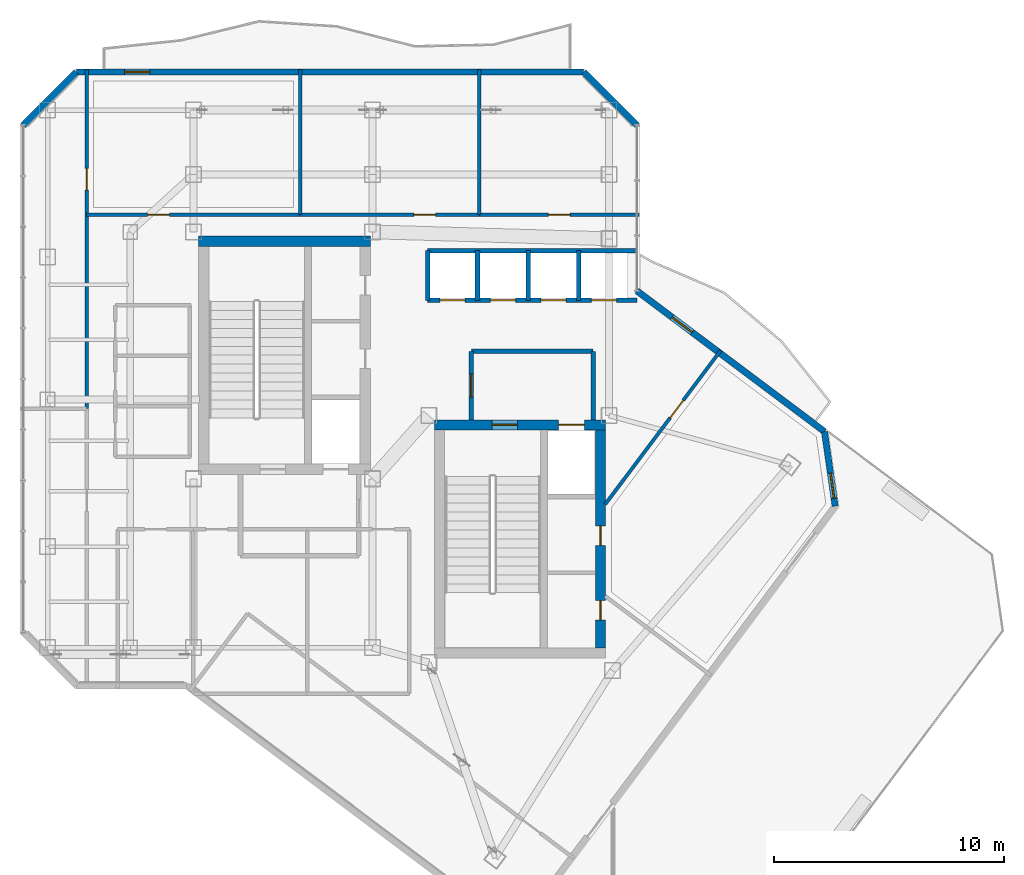
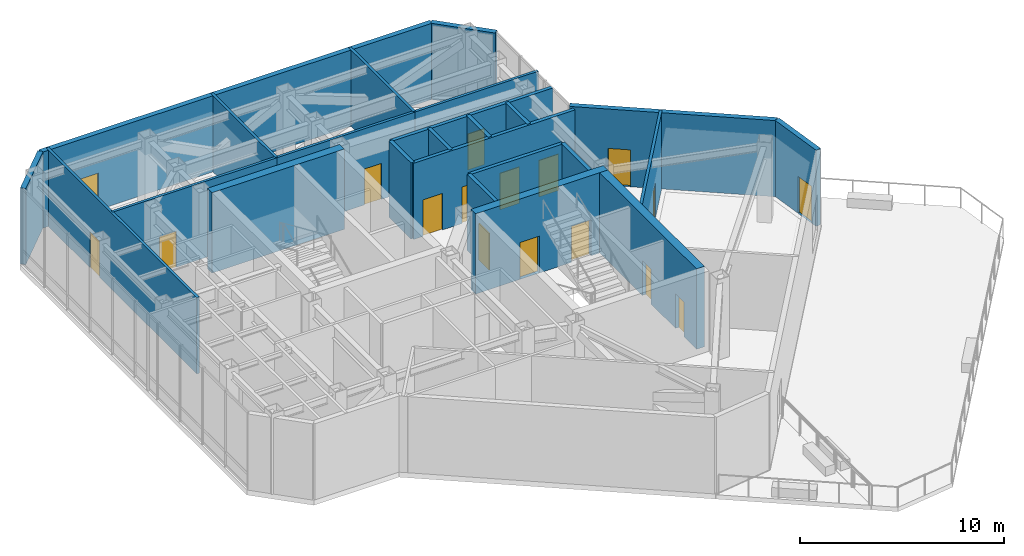
# One storey, part 17 of 21: 24 walls, 17 doors, 17 openings.
"""IFC4 building model written with IfcOpenShell, lengths in metres."""

from ifc_helpers import new_model, si_unit, direction, frame, frame_2d, origin, place, context, subcontext, project, spatial, rectangle, extrude, material, layer, layer_set, type_object, element, fill, save


model = new_model("IFC4")

# Units and contexts
model_context = context("Model", 3, precision=1e-05, world=origin(), true_north=direction((0.0, 1.0)))
body_context = subcontext(model_context, "Body", "Model", "MODEL_VIEW")
ifc_project = project(units=[si_unit("LENGTHUNIT", "METRE"), si_unit("AREAUNIT", "SQUARE_METRE"), si_unit("VOLUMEUNIT", "CUBIC_METRE"), si_unit("PLANEANGLEUNIT", "RADIAN"), si_unit("MASSUNIT", "GRAM", prefix="KILO")], contexts=[model_context])

# Site, building, storey
site_placement = place(None, origin())
site = spatial("IfcSite", under=ifc_project, at=site_placement, CompositionType="ELEMENT")
building_placement = place(site_placement, origin())
building = spatial("IfcBuilding", under=site, at=building_placement, Name="Hatsunagi Terrace Concourse", CompositionType="ELEMENT")
storey_placement = place(building_placement, frame((0.0, 0.0, 234.75)))
storey = spatial("IfcBuildingStorey", under=building, at=storey_placement, Name="L62", CompositionType="ELEMENT", Elevation=234.75)

# Wall
ifc_material_1 = material(Name="Concrete Fc42", Category="concrete")
ifc_layer_1 = layer(ifc_material_1, 0.449951171875)
ifc_layer_set_1 = layer_set([ifc_layer_1], Name="CoreShearWall_Fc42_450")
wall_type_1 = type_object("IfcWallType", Name="CoreShearWall_Fc42_450", PredefinedType="SHEAR", material=ifc_layer_set_1)
wall_1_placement = place(storey_placement, frame((25.77001953125, 42.89501953125, 0.0), z_axis=(0.0, 0.0, 1.0), x_axis=(1.0, 0.0, 0.0)))
element("IfcWall", 1, at=wall_1_placement, inside=storey, type_object=wall_type_1, Name="Core A Shear Wall N L62", PredefinedType="SHEAR", context=body_context, shape_type="SweptSolid", body=[
    extrude(rectangle(XDim=7.47998046875, YDim=0.449951171875, at=frame_2d((3.739990234375, 0.0))), origin(), (0.0, 0.0, 1.0), 4.800048828125),
])

# Wall, openings, doors
wall_2_placement = place(storey_placement, frame((36.0400390625, 34.89501953125, 0.0), z_axis=(0.0, 0.0, 1.0), x_axis=(1.0, 0.0, 0.0)))
wall_2 = element("IfcWall", 2, at=wall_2_placement, inside=storey, type_object=wall_type_1, Name="Core B Shear Wall N L62", PredefinedType="SHEAR", context=body_context, shape_type="SweptSolid", body=[
    extrude(rectangle(XDim=7.4599609375, YDim=0.449951171875, at=frame_2d((3.72998046875, 0.0))), origin(), (0.0, 0.0, 1.0), 4.800048828125),
])
opening_1_placement = place(wall_2_placement, frame((2.510009765625, 0.0, 0.0)))
opening_1 = element("IfcOpeningElement", 3, at=opening_1_placement, cuts=wall_2, Name="Opening DR-110S", PredefinedType="OPENING", context=body_context, shape_type="SweptSolid", body=[
    extrude(rectangle(XDim=1.10009765625, YDim=2.199951171875, at=frame_2d((0.550048828125, 1.10009765625))), frame((0.0, 0.23486328125, 0.0), z_axis=(0.0, -1.0, 0.0), x_axis=(1.0, 0.0, 0.0)), (0.0, 0.0, 1.0), 0.469970703125),
])
opening_2_placement = place(wall_2_placement, frame((5.409912109375, 0.0, 0.0)))
opening_2 = element("IfcOpeningElement", 4, at=opening_2_placement, cuts=wall_2, Name="Opening LD-02", PredefinedType="OPENING", context=body_context, shape_type="SweptSolid", body=[
    extrude(rectangle(XDim=1.1201171875, YDim=2.14990234375, at=frame_2d((0.56005859375, 1.074951171875))), frame((0.0, 0.23486328125, 0.0), z_axis=(0.0, -1.0, 0.0), x_axis=(1.0, 0.0, 0.0)), (0.0, 0.0, 1.0), 0.469970703125),
])
ifc_material_2 = material(Name="Stainless steel", Category="steel")
door_type_1 = type_object("IfcDoorType", Name="LiftLandingDoor_LD02", OperationType="SLIDING_TO_RIGHT", PredefinedType="USERDEFINED", material=ifc_material_2)
door_1_placement = place(opening_2_placement, origin())
door_1 = element("IfcDoor", 5, at=door_1_placement, inside=storey, type_object=door_type_1, Name="Lift landing door FF-02 L62", ObjectType="SLIDING_LANDING_DOOR", OperationType="SLIDING_TO_RIGHT", OverallHeight=2.14990234375, OverallWidth=1.1201171875, PredefinedType="USERDEFINED", context=body_context, shape_type="SweptSolid", body=[
    extrude(rectangle(XDim=1.1201171875, YDim=2.14990234375, at=frame_2d((0.56005859375, 1.074951171875))), frame((0.0, 0.02490234375, 0.0), z_axis=(0.0, -1.0, 0.0), x_axis=(1.0, 0.0, 0.0)), (0.0, 0.0, 1.0), 0.050048828125),
])
fill(opening_2, door_1)
ifc_material_3 = material(Name="Painted steel", Category="steel")
door_type_2 = type_object("IfcDoorType", Name="StairFireDoor_EI60_1100", OperationType="NOTDEFINED", PredefinedType="DOOR", material=ifc_material_3)
door_2_placement = place(opening_1_placement, origin())
door_2 = element("IfcDoor", 6, at=door_2_placement, inside=storey, type_object=door_type_2, Name="Stair ST-B Exit Door L62", OperationType="SINGLE_SWING_RIGHT", OverallHeight=2.199951171875, OverallWidth=1.10009765625, PredefinedType="DOOR", context=body_context, shape_type="SweptSolid", body=[
    extrude(rectangle(XDim=1.10009765625, YDim=2.199951171875, at=frame_2d((0.550048828125, 1.10009765625))), frame((0.0, 0.02490234375, 0.0), z_axis=(0.0, -1.0, 0.0), x_axis=(1.0, 0.0, 0.0)), (0.0, 0.0, 1.0), 0.050048828125),
])
fill(opening_1, door_2)

wall_3_placement = place(storey_placement, frame((43.27490234375, 25.18994140625, 0.0), z_axis=(0.0, 0.0, 1.0), x_axis=(0.0, 1.0, 0.0)))
wall_3 = element("IfcWall", 7, at=wall_3_placement, inside=storey, type_object=wall_type_1, Name="Core B Shear Wall E L62", PredefinedType="SHEAR", context=body_context, shape_type="SweptSolid", body=[
    extrude(rectangle(XDim=9.47998046875, YDim=0.449951171875, at=frame_2d((4.739990234375, 0.0))), origin(), (0.0, 0.0, 1.0), 4.800048828125),
])
opening_3_placement = place(wall_3_placement, frame((1.2099609375, 0.0, 0.0)))
opening_3 = element("IfcOpeningElement", 8, at=opening_3_placement, cuts=wall_3, Name="Opening DR-085", PredefinedType="OPENING", context=body_context, shape_type="SweptSolid", body=[
    extrude(rectangle(XDim=0.85009765625, YDim=2.080078125, at=frame_2d((0.425048828125, 1.0400390625))), frame((0.0, 0.23486328125, 0.0), z_axis=(0.0, -1.0, 0.0), x_axis=(1.0, 0.0, 0.0)), (0.0, 0.0, 1.0), 0.469970703125),
])
opening_4_placement = place(wall_3_placement, frame((4.4599609375, 0.0, 0.0)))
opening_4 = element("IfcOpeningElement", 9, at=opening_4_placement, cuts=wall_3, Name="Opening DR-085", PredefinedType="OPENING", context=body_context, shape_type="SweptSolid", body=[
    extrude(rectangle(XDim=0.85009765625, YDim=2.080078125, at=frame_2d((0.425048828125, 1.0400390625))), frame((0.0, 0.23486328125, 0.0), z_axis=(0.0, -1.0, 0.0), x_axis=(1.0, 0.0, 0.0)), (0.0, 0.0, 1.0), 0.469970703125),
])
ifc_material_4 = material(Name="Painted steel", Category="steel")
door_type_3 = type_object("IfcDoorType", Name="RiserAccessDoor_EI60_850", OperationType="NOTDEFINED", PredefinedType="DOOR", material=ifc_material_4)
door_3_placement = place(opening_3_placement, origin())
door_3 = element("IfcDoor", 10, at=door_3_placement, inside=storey, type_object=door_type_3, Name="Core B Riser Door L62-1", OperationType="SINGLE_SWING_RIGHT", OverallHeight=2.080078125, OverallWidth=0.85009765625, PredefinedType="DOOR", context=body_context, shape_type="SweptSolid", body=[
    extrude(rectangle(XDim=0.85009765625, YDim=2.080078125, at=frame_2d((0.425048828125, 1.0400390625))), frame((0.0, 0.02490234375, 0.0), z_axis=(0.0, -1.0, 0.0), x_axis=(1.0, 0.0, 0.0)), (0.0, 0.0, 1.0), 0.050048828125),
])
fill(opening_3, door_3)
door_4_placement = place(opening_4_placement, origin())
door_4 = element("IfcDoor", 11, at=door_4_placement, inside=storey, type_object=door_type_3, Name="Core B Riser Door L62-2", OperationType="SINGLE_SWING_RIGHT", OverallHeight=2.080078125, OverallWidth=0.85009765625, PredefinedType="DOOR", context=body_context, shape_type="SweptSolid", body=[
    extrude(rectangle(XDim=0.85009765625, YDim=2.080078125, at=frame_2d((0.425048828125, 1.0400390625))), frame((0.0, 0.02490234375, 0.0), z_axis=(0.0, -1.0, 0.0), x_axis=(1.0, 0.0, 0.0)), (0.0, 0.0, 1.0), 0.050048828125),
])
fill(opening_4, door_4)

# Wall, opening, door
ifc_material_5 = material(Name="Acoustic mineral board", Category="gypsum")
ifc_layer_2 = layer(ifc_material_5, 0.14990234375)
ifc_layer_set_2 = layer_set([ifc_layer_2], Name="PartitionWall_EI60_150")
wall_type_2 = type_object("IfcWallType", Name="PartitionWall_EI60_150", PredefinedType="PARTITIONING", material=ifc_layer_set_2)
wall_4_placement = place(storey_placement, frame((20.89990234375, 35.60009765625, 0.0), z_axis=(0.0, 0.0, 1.0), x_axis=(0.0, 1.0, 0.0)))
wall_4 = element("IfcWall", 12, at=wall_4_placement, inside=storey, type_object=wall_type_2, Name="Interior Partition IW-L62-034", PredefinedType="PARTITIONING", context=body_context, shape_type="SweptSolid", body=[
    extrude(rectangle(XDim=14.760009765625, YDim=0.14990234375, at=frame_2d((7.3798828125, 0.0))), origin(), (0.0, 0.0, 1.0), 4.550048828125),
])
opening_5_placement = place(wall_4_placement, frame((9.514892578125, 0.0, 0.0)))
opening_5 = element("IfcOpeningElement", 13, at=opening_5_placement, cuts=wall_4, Name="Opening DR-095", PredefinedType="OPENING", context=body_context, shape_type="SweptSolid", body=[
    extrude(rectangle(XDim=0.949951171875, YDim=2.14990234375, at=frame_2d((0.47509765625, 1.074951171875))), frame((0.0, 0.0849609375, 0.0), z_axis=(0.0, -1.0, 0.0), x_axis=(1.0, 0.0, 0.0)), (0.0, 0.0, 1.0), 0.169921875),
])
ifc_material_6 = material(Name="Hardwood timber", Category="wood")
door_type_4 = type_object("IfcDoorType", Name="InteriorSuiteDoor_EI30_950", OperationType="NOTDEFINED", PredefinedType="DOOR", material=ifc_material_6)
door_5_placement = place(opening_5_placement, origin())
door_5 = element("IfcDoor", 14, at=door_5_placement, inside=storey, type_object=door_type_4, Name="Open Plan Office L62-OW2 Door", OperationType="SINGLE_SWING_LEFT", OverallHeight=2.14990234375, OverallWidth=0.949951171875, PredefinedType="DOOR", context=body_context, shape_type="SweptSolid", body=[
    extrude(rectangle(XDim=0.949951171875, YDim=2.14990234375, at=frame_2d((0.47509765625, 1.074951171875))), frame((0.0, 0.02490234375, 0.0), z_axis=(0.0, -1.0, 0.0), x_axis=(1.0, 0.0, 0.0)), (0.0, 0.0, 1.0), 0.050048828125),
])
fill(opening_5, door_5)

wall_5_placement = place(storey_placement, frame((20.89990234375, 44.050048828125, 0.0), z_axis=(0.0, 0.0, 1.0), x_axis=(1.0, 0.0, 0.0)))
wall_5 = element("IfcWall", 15, at=wall_5_placement, inside=storey, type_object=wall_type_2, Name="Interior Partition IW-L62-035", PredefinedType="PARTITIONING", context=body_context, shape_type="SweptSolid", body=[
    extrude(rectangle(XDim=9.300048828125, YDim=0.14990234375, at=frame_2d((4.64990234375, 0.0))), origin(), (0.0, 0.0, 1.0), 4.550048828125),
])
opening_6_placement = place(wall_5_placement, frame((2.656982421875, 0.0, 0.0)))
opening_6 = element("IfcOpeningElement", 16, at=opening_6_placement, cuts=wall_5, Name="Opening DR-095", PredefinedType="OPENING", context=body_context, shape_type="SweptSolid", body=[
    extrude(rectangle(XDim=0.949951171875, YDim=2.14990234375, at=frame_2d((0.47509765625, 1.074951171875))), frame((0.0, 0.0849609375, 0.0), z_axis=(0.0, -1.0, 0.0), x_axis=(1.0, 0.0, 0.0)), (0.0, 0.0, 1.0), 0.169921875),
])
door_6_placement = place(opening_6_placement, origin())
door_6 = element("IfcDoor", 17, at=door_6_placement, inside=storey, type_object=door_type_4, Name="Boardroom L62-ON1 Door", OperationType="SINGLE_SWING_LEFT", OverallHeight=2.14990234375, OverallWidth=0.949951171875, PredefinedType="DOOR", context=body_context, shape_type="SweptSolid", body=[
    extrude(rectangle(XDim=0.949951171875, YDim=2.14990234375, at=frame_2d((0.47509765625, 1.074951171875))), frame((0.0, 0.02490234375, 0.0), z_axis=(0.0, -1.0, 0.0), x_axis=(1.0, 0.0, 0.0)), (0.0, 0.0, 1.0), 0.050048828125),
])
fill(opening_6, door_6)

# Wall
wall_6_placement = place(storey_placement, frame((30.199951171875, 44.050048828125, 0.0), z_axis=(0.0, 0.0, 1.0), x_axis=(0.0, 1.0, 0.0)))
element("IfcWall", 18, at=wall_6_placement, inside=storey, type_object=wall_type_2, Name="Interior Partition IW-L62-036", PredefinedType="PARTITIONING", context=body_context, shape_type="SweptSolid", body=[
    extrude(rectangle(XDim=6.31005859375, YDim=0.14990234375, at=frame_2d((3.155029296875, 0.0))), origin(), (0.0, 0.0, 1.0), 4.550048828125),
])

# Wall, opening, door
wall_7_placement = place(storey_placement, frame((30.199951171875, 44.050048828125, 0.0), z_axis=(0.0, 0.0, 1.0), x_axis=(1.0, 0.0, 0.0)))
wall_7 = element("IfcWall", 19, at=wall_7_placement, inside=storey, type_object=wall_type_2, Name="Interior Partition IW-L62-037", PredefinedType="PARTITIONING", context=body_context, shape_type="SweptSolid", body=[
    extrude(rectangle(XDim=7.800048828125, YDim=0.14990234375, at=frame_2d((3.89990234375, 0.0))), origin(), (0.0, 0.0, 1.0), 4.550048828125),
])
opening_7_placement = place(wall_7_placement, frame((4.947998046875, 0.0, 0.0)))
opening_7 = element("IfcOpeningElement", 20, at=opening_7_placement, cuts=wall_7, Name="Opening DR-095", PredefinedType="OPENING", context=body_context, shape_type="SweptSolid", body=[
    extrude(rectangle(XDim=0.949951171875, YDim=2.14990234375, at=frame_2d((0.47509765625, 1.074951171875))), frame((0.0, 0.0849609375, 0.0), z_axis=(0.0, -1.0, 0.0), x_axis=(1.0, 0.0, 0.0)), (0.0, 0.0, 1.0), 0.169921875),
])
door_7_placement = place(opening_7_placement, origin())
door_7 = element("IfcDoor", 21, at=door_7_placement, inside=storey, type_object=door_type_4, Name="Collaboration Lounge L62-ON2 Door", OperationType="SINGLE_SWING_LEFT", OverallHeight=2.14990234375, OverallWidth=0.949951171875, PredefinedType="DOOR", context=body_context, shape_type="SweptSolid", body=[
    extrude(rectangle(XDim=0.949951171875, YDim=2.14990234375, at=frame_2d((0.47509765625, 1.074951171875))), frame((0.0, 0.02490234375, 0.0), z_axis=(0.0, -1.0, 0.0), x_axis=(1.0, 0.0, 0.0)), (0.0, 0.0, 1.0), 0.050048828125),
])
fill(opening_7, door_7)

# Wall
wall_8_placement = place(storey_placement, frame((38.0, 44.050048828125, 0.0), z_axis=(0.0, 0.0, 1.0), x_axis=(0.0, 1.0, 0.0)))
element("IfcWall", 22, at=wall_8_placement, inside=storey, type_object=wall_type_2, Name="Interior Partition IW-L62-038", PredefinedType="PARTITIONING", context=body_context, shape_type="SweptSolid", body=[
    extrude(rectangle(XDim=6.31005859375, YDim=0.14990234375, at=frame_2d((3.155029296875, 0.0))), origin(), (0.0, 0.0, 1.0), 4.550048828125),
])

# Wall, opening, door
wall_9_placement = place(storey_placement, frame((38.0, 44.050048828125, 0.0), z_axis=(0.0, 0.0, 1.0), x_axis=(1.0, 0.0, 0.0)))
wall_9 = element("IfcWall", 23, at=wall_9_placement, inside=storey, type_object=wall_type_2, Name="Interior Partition IW-L62-039", PredefinedType="PARTITIONING", context=body_context, shape_type="SweptSolid", body=[
    extrude(rectangle(XDim=6.9599609375, YDim=0.14990234375, at=frame_2d((3.47998046875, 0.0))), origin(), (0.0, 0.0, 1.0), 4.550048828125),
])
opening_8_placement = place(wall_9_placement, frame((3.0048828125, 0.0, 0.0)))
opening_8 = element("IfcOpeningElement", 24, at=opening_8_placement, cuts=wall_9, Name="Opening DR-095", PredefinedType="OPENING", context=body_context, shape_type="SweptSolid", body=[
    extrude(rectangle(XDim=0.949951171875, YDim=2.14990234375, at=frame_2d((0.47509765625, 1.074951171875))), frame((0.0, 0.0849609375, 0.0), z_axis=(0.0, -1.0, 0.0), x_axis=(1.0, 0.0, 0.0)), (0.0, 0.0, 1.0), 0.169921875),
])
door_8_placement = place(opening_8_placement, origin())
door_8 = element("IfcDoor", 25, at=door_8_placement, inside=storey, type_object=door_type_4, Name="Meeting Room L62-ON3 Door", OperationType="SINGLE_SWING_LEFT", OverallHeight=2.14990234375, OverallWidth=0.949951171875, PredefinedType="DOOR", context=body_context, shape_type="SweptSolid", body=[
    extrude(rectangle(XDim=0.949951171875, YDim=2.14990234375, at=frame_2d((0.47509765625, 1.074951171875))), frame((0.0, 0.02490234375, 0.0), z_axis=(0.0, -1.0, 0.0), x_axis=(1.0, 0.0, 0.0)), (0.0, 0.0, 1.0), 0.050048828125),
])
fill(opening_8, door_8)

wall_10_placement = place(storey_placement, frame((43.47998046875, 31.43994140625, 0.0), z_axis=(0.0, 0.0, 1.0), x_axis=(0.600009344989, 0.799992991173, 0.0)))
wall_10 = element("IfcWall", 26, at=wall_10_placement, inside=storey, type_object=wall_type_2, Name="Interior Partition IW-L62-041", PredefinedType="PARTITIONING", context=body_context, shape_type="SweptSolid", body=[
    extrude(rectangle(XDim=8.360107421875, YDim=0.14990234375, at=frame_2d((4.18017578125, 0.0))), origin(), (0.0, 0.0, 1.0), 4.550048828125),
])
opening_9_placement = place(wall_10_placement, frame((4.702880859375, 0.0, 0.0)))
opening_9 = element("IfcOpeningElement", 27, at=opening_9_placement, cuts=wall_10, Name="Opening DR-095", PredefinedType="OPENING", context=body_context, shape_type="SweptSolid", body=[
    extrude(rectangle(XDim=0.949951171875, YDim=2.14990234375, at=frame_2d((0.47509765625, 1.074951171875))), frame((0.0, 0.0849609375, 0.0), z_axis=(0.0, -1.0, 0.0), x_axis=(1.0, 0.0, 0.0)), (0.0, 0.0, 1.0), 0.169921875),
])
door_9_placement = place(opening_9_placement, origin())
door_9 = element("IfcDoor", 28, at=door_9_placement, inside=storey, type_object=door_type_4, Name="Botanical Lounge L62-OSE1 Door", OperationType="SINGLE_SWING_RIGHT", OverallHeight=2.14990234375, OverallWidth=0.949951171875, PredefinedType="DOOR", context=body_context, shape_type="SweptSolid", body=[
    extrude(rectangle(XDim=0.949951171875, YDim=2.14990234375, at=frame_2d((0.47509765625, 1.074951171875))), frame((0.0, 0.02490234375, 0.0), z_axis=(0.0, -1.0, 0.0), x_axis=(1.0, 0.0, 0.0)), (0.0, 0.0, 1.0), 0.050048828125),
])
fill(opening_9, door_9)

# Walls
ifc_material_7 = material(Name="Acoustic mineral board", Category="gypsum")
ifc_layer_3 = layer(ifc_material_7, 0.199951171875)
ifc_layer_set_3 = layer_set([ifc_layer_3], Name="ShaftWall_EI120_200")
wall_type_3 = type_object("IfcWallType", Name="ShaftWall_EI120_200", PredefinedType="STANDARD", material=ifc_layer_set_3)
wall_11_placement = place(storey_placement, frame((37.64990234375, 38.10009765625, 0.0), z_axis=(0.0, 0.0, 1.0), x_axis=(1.0, 0.0, 0.0)))
element("IfcWall", 29, at=wall_11_placement, inside=storey, type_object=wall_type_3, Name="Interior Partition IW-L62-008", PredefinedType="STANDARD", context=body_context, shape_type="SweptSolid", body=[
    extrude(rectangle(XDim=5.300048828125, YDim=0.199951171875, at=frame_2d((2.64990234375, 0.0))), origin(), (0.0, 0.0, 1.0), 4.550048828125),
])
wall_12_placement = place(storey_placement, frame((42.949951171875, 35.1201171875, 0.0), z_axis=(0.0, 0.0, 1.0), x_axis=(0.0, 1.0, 0.0)))
element("IfcWall", 30, at=wall_12_placement, inside=storey, type_object=wall_type_3, Name="Interior Partition IW-L62-009", PredefinedType="STANDARD", context=body_context, shape_type="SweptSolid", body=[
    extrude(rectangle(XDim=2.97998046875, YDim=0.199951171875, at=frame_2d((1.489990234375, 0.0))), origin(), (0.0, 0.0, 1.0), 4.550048828125),
])

# Wall, opening, door
wall_13_placement = place(storey_placement, frame((37.64990234375, 35.1201171875, 0.0), z_axis=(0.0, 0.0, 1.0), x_axis=(0.0, 1.0, 0.0)))
wall_13 = element("IfcWall", 31, at=wall_13_placement, inside=storey, type_object=wall_type_3, Name="Interior Partition IW-L62-010", PredefinedType="STANDARD", context=body_context, shape_type="SweptSolid", body=[
    extrude(rectangle(XDim=2.97998046875, YDim=0.199951171875, at=frame_2d((1.489990234375, 0.0))), origin(), (0.0, 0.0, 1.0), 4.550048828125),
])
opening_10_placement = place(wall_13_placement, frame((0.989990234375, 0.0, 0.0)))
opening_10 = element("IfcOpeningElement", 32, at=opening_10_placement, cuts=wall_13, Name="Opening DR-100F", PredefinedType="OPENING", context=body_context, shape_type="SweptSolid", body=[
    extrude(rectangle(XDim=1.0, YDim=2.199951171875, at=frame_2d((0.5, 1.10009765625))), frame((0.0, 0.10986328125, 0.0), z_axis=(0.0, -1.0, 0.0), x_axis=(1.0, 0.0, 0.0)), (0.0, 0.0, 1.0), 0.219970703125),
])
ifc_material_8 = material(Name="Painted steel", Category="steel")
door_type_5 = type_object("IfcDoorType", Name="FireDoor_EI60_1000", OperationType="NOTDEFINED", PredefinedType="DOOR", material=ifc_material_8)
door_10_placement = place(opening_10_placement, origin())
door_10 = element("IfcDoor", 33, at=door_10_placement, inside=storey, type_object=door_type_5, Name="Firefighting Lobby B Door L62", OperationType="SINGLE_SWING_RIGHT", OverallHeight=2.199951171875, OverallWidth=1.0, PredefinedType="DOOR", context=body_context, shape_type="SweptSolid", body=[
    extrude(rectangle(XDim=1.0, YDim=2.199951171875, at=frame_2d((0.5, 1.10009765625))), frame((0.0, 0.02490234375, 0.0), z_axis=(0.0, -1.0, 0.0), x_axis=(1.0, 0.0, 0.0)), (0.0, 0.0, 1.0), 0.050048828125),
])
fill(opening_10, door_10)

# Walls
wall_14_placement = place(storey_placement, frame((35.75, 42.47998046875, 0.0), z_axis=(0.0, 0.0, 1.0), x_axis=(1.0, 0.0, 0.0)))
element("IfcWall", 34, at=wall_14_placement, inside=storey, type_object=wall_type_3, Name="Interior Partition IW-L62-011", PredefinedType="STANDARD", context=body_context, shape_type="SweptSolid", body=[
    extrude(rectangle(XDim=9.110107421875, YDim=0.199951171875, at=frame_2d((4.55517578125, 0.0))), origin(), (0.0, 0.0, 1.0), 4.550048828125),
])
for number, where, z_axis, x_axis, name in (
    (35, (35.75, 40.320068359375, 0.0), (0.0, 0.0, 1.0), (0.0, 1.0, 0.0), "Interior Partition IW-L62-012"),
    (36, (37.919921875, 40.320068359375, 0.0), (0.0, 0.0, 1.0), (0.0, 1.0, 0.0), "Interior Partition IW-L62-013"),
    (37, (40.1201171875, 40.320068359375, 0.0), (0.0, 0.0, 1.0), (0.0, 1.0, 0.0), "Interior Partition IW-L62-014"),
    (38, (42.320068359375, 40.320068359375, 0.0), (0.0, 0.0, 1.0), (0.0, 1.0, 0.0), "Interior Partition IW-L62-015"),
):
    element("IfcWall", number, at=place(storey_placement, frame(where, z_axis=z_axis, x_axis=x_axis)), inside=storey, type_object=wall_type_3, Name=name, PredefinedType="STANDARD", context=body_context, shape_type="SweptSolid", body=[
        extrude(rectangle(XDim=2.159912109375, YDim=0.199951171875, at=frame_2d((1.080078125, 0.0))), origin(), (0.0, 0.0, 1.0), 4.550048828125),
    ])

# Wall, openings, doors
wall_15_placement = place(storey_placement, frame((35.75, 40.320068359375, 0.0), z_axis=(0.0, 0.0, 1.0), x_axis=(1.0, 0.0, 0.0)))
wall_15 = element("IfcWall", 39, at=wall_15_placement, inside=storey, type_object=wall_type_3, Name="Interior Partition IW-L62-016", PredefinedType="STANDARD", context=body_context, shape_type="SweptSolid", body=[
    extrude(rectangle(XDim=9.110107421875, YDim=0.199951171875, at=frame_2d((4.55517578125, 0.0))), origin(), (0.0, 0.0, 1.0), 4.550048828125),
])
opening_11_placement = place(wall_15_placement, frame((0.530029296875, 0.0, 0.0)))
opening_11 = element("IfcOpeningElement", 40, at=opening_11_placement, cuts=wall_15, Name="Opening LD-04", PredefinedType="OPENING", context=body_context, shape_type="SweptSolid", body=[
    extrude(rectangle(XDim=1.10009765625, YDim=2.179931640625, at=frame_2d((0.550048828125, 1.08984375))), frame((0.0, 0.10986328125, 0.0), z_axis=(0.0, -1.0, 0.0), x_axis=(1.0, 0.0, 0.0)), (0.0, 0.0, 1.0), 0.219970703125),
])
opening_12_placement = place(wall_15_placement, frame((2.72998046875, 0.0, 0.0)))
opening_12 = element("IfcOpeningElement", 41, at=opening_12_placement, cuts=wall_15, Name="Opening LD-04", PredefinedType="OPENING", context=body_context, shape_type="SweptSolid", body=[
    extrude(rectangle(XDim=1.10009765625, YDim=2.179931640625, at=frame_2d((0.550048828125, 1.08984375))), frame((0.0, 0.10986328125, 0.0), z_axis=(0.0, -1.0, 0.0), x_axis=(1.0, 0.0, 0.0)), (0.0, 0.0, 1.0), 0.219970703125),
])
opening_13_placement = place(wall_15_placement, frame((4.929931640625, 0.0, 0.0)))
opening_13 = element("IfcOpeningElement", 42, at=opening_13_placement, cuts=wall_15, Name="Opening LD-04", PredefinedType="OPENING", context=body_context, shape_type="SweptSolid", body=[
    extrude(rectangle(XDim=1.10009765625, YDim=2.179931640625, at=frame_2d((0.550048828125, 1.08984375))), frame((0.0, 0.10986328125, 0.0), z_axis=(0.0, -1.0, 0.0), x_axis=(1.0, 0.0, 0.0)), (0.0, 0.0, 1.0), 0.219970703125),
])
opening_14_placement = place(wall_15_placement, frame((7.1298828125, 0.0, 0.0)))
opening_14 = element("IfcOpeningElement", 43, at=opening_14_placement, cuts=wall_15, Name="Opening LD-04", PredefinedType="OPENING", context=body_context, shape_type="SweptSolid", body=[
    extrude(rectangle(XDim=1.10009765625, YDim=2.179931640625, at=frame_2d((0.550048828125, 1.08984375))), frame((0.0, 0.10986328125, 0.0), z_axis=(0.0, -1.0, 0.0), x_axis=(1.0, 0.0, 0.0)), (0.0, 0.0, 1.0), 0.219970703125),
])
ifc_material_9 = material(Name="Stainless steel", Category="steel")
door_type_6 = type_object("IfcDoorType", Name="LiftLandingDoor_LD04", OperationType="SLIDING_TO_RIGHT", PredefinedType="USERDEFINED", material=ifc_material_9)
door_11_placement = place(opening_11_placement, origin())
door_11 = element("IfcDoor", 44, at=door_11_placement, inside=storey, type_object=door_type_6, Name="Lift landing door PL-05 L62", ObjectType="SLIDING_LANDING_DOOR", OperationType="SLIDING_TO_RIGHT", OverallHeight=2.179931640625, OverallWidth=1.10009765625, PredefinedType="USERDEFINED", context=body_context, shape_type="SweptSolid", body=[
    extrude(rectangle(XDim=1.10009765625, YDim=2.179931640625, at=frame_2d((0.550048828125, 1.08984375))), frame((0.0, 0.02490234375, 0.0), z_axis=(0.0, -1.0, 0.0), x_axis=(1.0, 0.0, 0.0)), (0.0, 0.0, 1.0), 0.050048828125),
])
fill(opening_11, door_11)
door_12_placement = place(opening_12_placement, origin())
door_12 = element("IfcDoor", 45, at=door_12_placement, inside=storey, type_object=door_type_6, Name="Lift landing door PL-06 L62", ObjectType="SLIDING_LANDING_DOOR", OperationType="SLIDING_TO_RIGHT", OverallHeight=2.179931640625, OverallWidth=1.10009765625, PredefinedType="USERDEFINED", context=body_context, shape_type="SweptSolid", body=[
    extrude(rectangle(XDim=1.10009765625, YDim=2.179931640625, at=frame_2d((0.550048828125, 1.08984375))), frame((0.0, 0.02490234375, 0.0), z_axis=(0.0, -1.0, 0.0), x_axis=(1.0, 0.0, 0.0)), (0.0, 0.0, 1.0), 0.050048828125),
])
fill(opening_12, door_12)
door_13_placement = place(opening_13_placement, origin())
door_13 = element("IfcDoor", 46, at=door_13_placement, inside=storey, type_object=door_type_6, Name="Lift landing door PL-07 L62", ObjectType="SLIDING_LANDING_DOOR", OperationType="SLIDING_TO_RIGHT", OverallHeight=2.179931640625, OverallWidth=1.10009765625, PredefinedType="USERDEFINED", context=body_context, shape_type="SweptSolid", body=[
    extrude(rectangle(XDim=1.10009765625, YDim=2.179931640625, at=frame_2d((0.550048828125, 1.08984375))), frame((0.0, 0.02490234375, 0.0), z_axis=(0.0, -1.0, 0.0), x_axis=(1.0, 0.0, 0.0)), (0.0, 0.0, 1.0), 0.050048828125),
])
fill(opening_13, door_13)
door_14_placement = place(opening_14_placement, origin())
door_14 = element("IfcDoor", 47, at=door_14_placement, inside=storey, type_object=door_type_6, Name="Lift landing door PL-08 L62", ObjectType="SLIDING_LANDING_DOOR", OperationType="SLIDING_TO_RIGHT", OverallHeight=2.179931640625, OverallWidth=1.10009765625, PredefinedType="USERDEFINED", context=body_context, shape_type="SweptSolid", body=[
    extrude(rectangle(XDim=1.10009765625, YDim=2.179931640625, at=frame_2d((0.550048828125, 1.08984375))), frame((0.0, 0.02490234375, 0.0), z_axis=(0.0, -1.0, 0.0), x_axis=(1.0, 0.0, 0.0)), (0.0, 0.0, 1.0), 0.050048828125),
])
fill(opening_14, door_14)

# Wall, opening, door
ifc_material_10 = material(Name="Autoclaved Lightweight Concrete and Terracotta Cladding", Category="masonry")
ifc_layer_4 = layer(ifc_material_10, 0.280029296875)
ifc_layer_set_4 = layer_set([ifc_layer_4], Name="TerracottaSpandrelWall_280")
wall_type_4 = type_object("IfcWallType", Name="TerracottaSpandrelWall_280", PredefinedType="STANDARD", material=ifc_layer_set_4)
wall_16_placement = place(storey_placement, frame((44.860107421875, 40.72998046875, 0.0), z_axis=(0.0, 0.0, 1.0), x_axis=(0.800022950109, -0.599969398635, 0.0)))
wall_16 = element("IfcWall", 48, at=wall_16_placement, inside=storey, type_object=wall_type_4, Name="Exterior Spandrel Wall EW-L62-01", PredefinedType="STANDARD", context=body_context, shape_type="SweptSolid", body=[
    extrude(rectangle(XDim=10.212158203125, YDim=0.280029296875, at=frame_2d((5.10595703125, 0.0))), origin(), (0.0, 0.0, 1.0), 4.550048828125),
])
opening_15_placement = place(wall_16_placement, frame((1.90087890625, 0.0, 0.0)))
opening_15 = element("IfcOpeningElement", 49, at=opening_15_placement, cuts=wall_16, Name="Opening BD-01", PredefinedType="OPENING", context=body_context, shape_type="SweptSolid", body=[
    extrude(rectangle(XDim=1.10009765625, YDim=2.199951171875, at=frame_2d((0.550048828125, 1.10009765625))), frame((0.0, 0.14990234375, 0.0), z_axis=(0.0, -1.0, 0.0), x_axis=(1.0, 0.0, 0.0)), (0.0, 0.0, 1.0), 0.300048828125),
])
ifc_material_11 = material(Name="Galvanised Steel and Laminated Safety Glass", Category="steel")
door_type_7 = type_object("IfcDoorType", Name="BalconyTerraceAccessDoor_1100x2200", OperationType="SINGLE_SWING_LEFT", PredefinedType="DOOR", material=ifc_material_11)
door_15_placement = place(opening_15_placement, origin())
door_15 = element("IfcDoor", 50, at=door_15_placement, inside=storey, type_object=door_type_7, Name="Engawa Balcony Door L62-BSE", OperationType="SINGLE_SWING_LEFT", OverallHeight=2.199951171875, OverallWidth=1.10009765625, PredefinedType="DOOR", context=body_context, shape_type="SweptSolid", body=[
    extrude(rectangle(XDim=1.10009765625, YDim=2.199951171875, at=frame_2d((0.550048828125, 1.10009765625))), frame((0.0, 0.02490234375, 0.0), z_axis=(0.0, -1.0, 0.0), x_axis=(1.0, 0.0, 0.0)), (0.0, 0.0, 1.0), 0.050048828125),
])
fill(opening_15, door_15)

wall_17_placement = place(storey_placement, frame((53.030029296875, 34.60302734375, 0.0), z_axis=(0.0, 0.0, 1.0), x_axis=(0.141212810973, -0.989979263428, 0.0)))
wall_17 = element("IfcWall", 51, at=wall_17_placement, inside=storey, type_object=wall_type_4, Name="Exterior Spandrel Wall EW-L62-02", PredefinedType="STANDARD", context=body_context, shape_type="SweptSolid", body=[
    extrude(rectangle(XDim=3.278076171875, YDim=0.280029296875, at=frame_2d((1.63916015625, 0.0))), origin(), (0.0, 0.0, 1.0), 4.550048828125),
])
opening_16_placement = place(wall_17_placement, frame((1.827880859375, 0.0, 0.0)))
opening_16 = element("IfcOpeningElement", 52, at=opening_16_placement, cuts=wall_17, Name="Opening BD-01", PredefinedType="OPENING", context=body_context, shape_type="SweptSolid", body=[
    extrude(rectangle(XDim=1.10009765625, YDim=2.199951171875, at=frame_2d((0.550048828125, 1.10009765625))), frame((0.0, 0.14990234375, 0.0), z_axis=(0.0, -1.0, 0.0), x_axis=(1.0, 0.0, 0.0)), (0.0, 0.0, 1.0), 0.300048828125),
])
door_16_placement = place(opening_16_placement, origin())
door_16 = element("IfcDoor", 53, at=door_16_placement, inside=storey, type_object=door_type_7, Name="Sky Garden Terrace Door TER-L62-2", OperationType="SINGLE_SWING_LEFT", OverallHeight=2.199951171875, OverallWidth=1.10009765625, PredefinedType="DOOR", context=body_context, shape_type="SweptSolid", body=[
    extrude(rectangle(XDim=1.10009765625, YDim=2.199951171875, at=frame_2d((0.550048828125, 1.10009765625))), frame((0.0, 0.02490234375, 0.0), z_axis=(0.0, -1.0, 0.0), x_axis=(1.0, 0.0, 0.0)), (0.0, 0.0, 1.0), 0.050048828125),
])
fill(opening_16, door_16)

# Wall
wall_18_placement = place(storey_placement, frame((18.139892578125, 47.94189453125, 0.0), z_axis=(0.0, 0.0, 1.0), x_axis=(0.707106781187, 0.707106781187, 0.0)))
element("IfcWall", 54, at=wall_18_placement, inside=storey, type_object=wall_type_4, Name="Exterior Spandrel Wall EW-L62-09", PredefinedType="STANDARD", context=body_context, shape_type="SweptSolid", body=[
    extrude(rectangle(XDim=3.2783203125, YDim=0.280029296875, at=frame_2d((1.63916015625, 0.0))), origin(), (0.0, 0.0, 1.0), 4.550048828125),
])

# Wall, opening, door
wall_19_placement = place(storey_placement, frame((20.4580078125, 50.260009765625, 0.0), z_axis=(0.0, 0.0, 1.0), x_axis=(1.0, 0.0, 0.0)))
wall_19 = element("IfcWall", 55, at=wall_19_placement, inside=storey, type_object=wall_type_4, Name="Exterior Spandrel Wall EW-L62-10", PredefinedType="STANDARD", context=body_context, shape_type="SweptSolid", body=[
    extrude(rectangle(XDim=22.083984375, YDim=0.280029296875, at=frame_2d((11.0419921875, 0.0))), origin(), (0.0, 0.0, 1.0), 4.550048828125),
])
opening_17_placement = place(wall_19_placement, frame((2.10009765625, 0.0, 0.0)))
opening_17 = element("IfcOpeningElement", 56, at=opening_17_placement, cuts=wall_19, Name="Opening BD-01", PredefinedType="OPENING", context=body_context, shape_type="SweptSolid", body=[
    extrude(rectangle(XDim=1.10009765625, YDim=2.199951171875, at=frame_2d((0.550048828125, 1.10009765625))), frame((0.0, 0.14990234375, 0.0), z_axis=(0.0, -1.0, 0.0), x_axis=(1.0, 0.0, 0.0)), (0.0, 0.0, 1.0), 0.300048828125),
])
door_17_placement = place(opening_17_placement, origin())
door_17 = element("IfcDoor", 57, at=door_17_placement, inside=storey, type_object=door_type_7, Name="Engawa Balcony Door L62-BN", OperationType="SINGLE_SWING_RIGHT", OverallHeight=2.199951171875, OverallWidth=1.10009765625, PredefinedType="DOOR", context=body_context, shape_type="SweptSolid", body=[
    extrude(rectangle(XDim=1.10009765625, YDim=2.199951171875, at=frame_2d((0.550048828125, 1.10009765625))), frame((0.0, 0.02490234375, 0.0), z_axis=(0.0, -1.0, 0.0), x_axis=(1.0, 0.0, 0.0)), (0.0, 0.0, 1.0), 0.050048828125),
])
fill(opening_17, door_17)

# Wall
wall_20_placement = place(storey_placement, frame((42.5419921875, 50.260009765625, 0.0), z_axis=(0.0, 0.0, 1.0), x_axis=(0.707106781187, -0.707106781187, 0.0)))
element("IfcWall", 58, at=wall_20_placement, inside=storey, type_object=wall_type_4, Name="Exterior Spandrel Wall EW-L62-11", PredefinedType="STANDARD", context=body_context, shape_type="SweptSolid", body=[
    extrude(rectangle(XDim=3.2783203125, YDim=0.280029296875, at=frame_2d((1.63916015625, 0.0))), origin(), (0.0, 0.0, 1.0), 4.550048828125),
])

save(model, "model.ifc")
